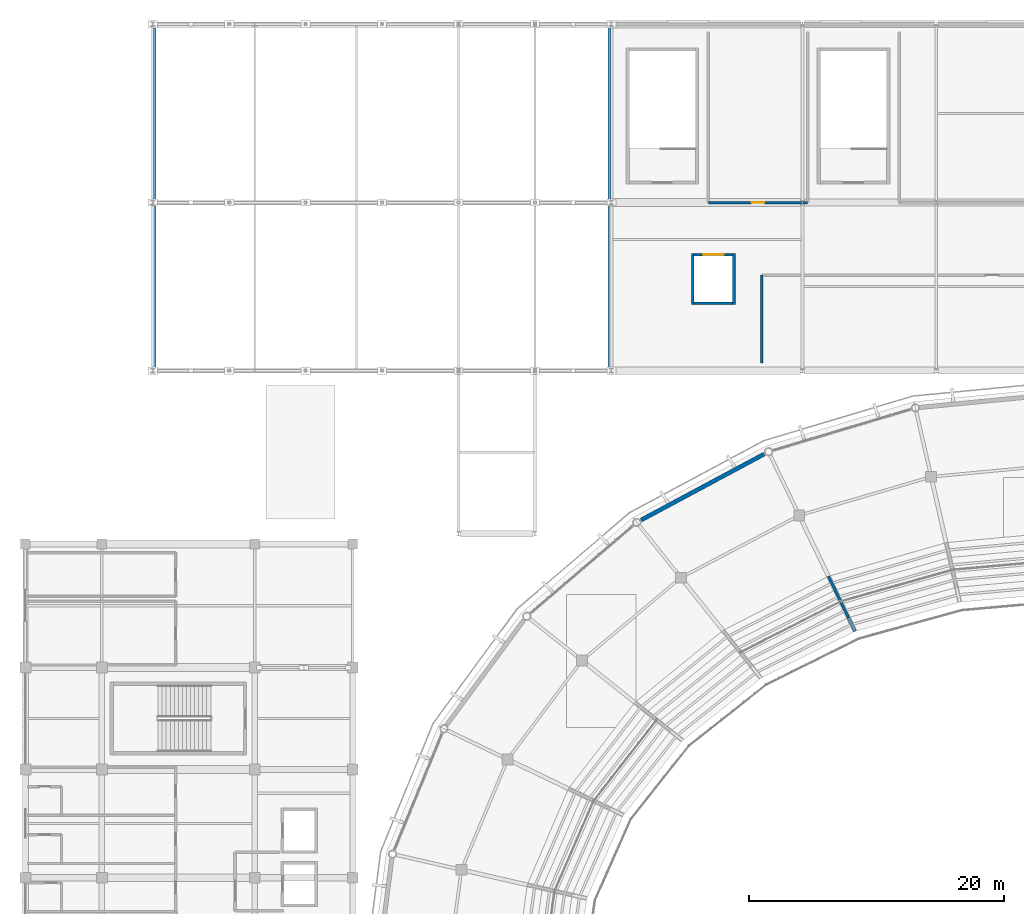
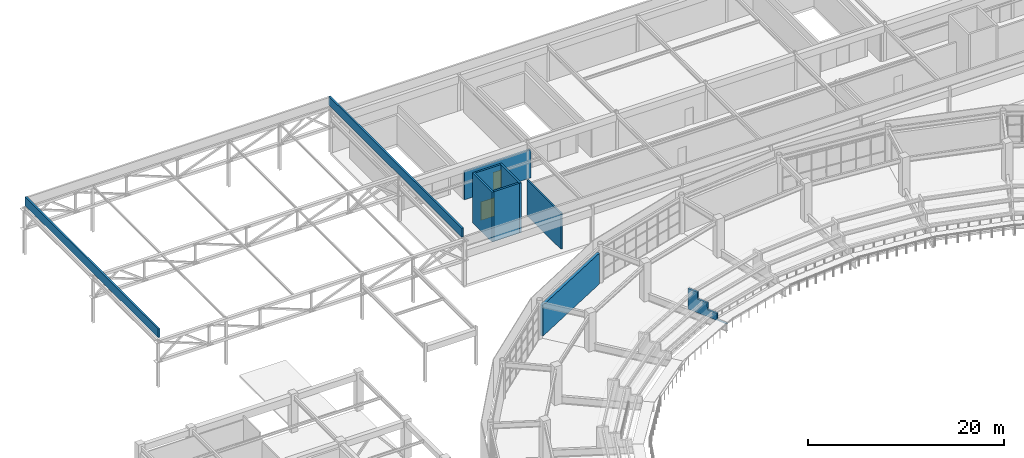
# One storey, part 99 of 122: 10 walls, 2 doors, 2 openings.
"""IFC4 building model written with IfcOpenShell, lengths in metres."""

from ifc_helpers import new_model, si_unit, direction, frame, frame_2d, origin, place, context, subcontext, project, spatial, polyline, rectangle, outline, extrude, material, layer, layer_set, type_object, element, fill, save


model = new_model("IFC4")

# Units and contexts
model_context = context("Model", 3, precision=1e-05, world=origin(), true_north=direction((0.0, 1.0)))
body_context = subcontext(model_context, "Body", "Model", "MODEL_VIEW")
ifc_project = project(units=[si_unit("LENGTHUNIT", "METRE"), si_unit("AREAUNIT", "SQUARE_METRE"), si_unit("VOLUMEUNIT", "CUBIC_METRE"), si_unit("PLANEANGLEUNIT", "RADIAN"), si_unit("MASSUNIT", "GRAM", prefix="KILO")], contexts=[model_context])

# Site, building, storey
site_placement = place(None, origin())
site = spatial("IfcSite", under=ifc_project, at=site_placement, CompositionType="ELEMENT")
building_placement = place(site_placement, origin())
building = spatial("IfcBuilding", under=site, at=building_placement, Name="Cuetzalor Civic Arena", CompositionType="ELEMENT")
storey_placement = place(building_placement, frame((0.0, 0.0, 16.199951171875)))
storey = spatial("IfcBuildingStorey", under=building, at=storey_placement, Name="L03", CompositionType="ELEMENT", Elevation=16.199951171875)

# Walls
ifc_material_1 = material(Name="Dark volcanic basalt parapet Concrete C35/45", Category="masonry")
ifc_layer_1 = layer(ifc_material_1, 0.2099609375)
ifc_layer_set_1 = layer_set([ifc_layer_1], Name="Dark volcanic basalt parapet Concrete C35/45")
wall_type_1 = type_object("IfcWallType", Name="BasaltRoofParapet_210", PredefinedType="PARAPET", material=ifc_layer_set_1)
for number, where, z_axis, x_axis, name in (
    (1, (-71.85009765625, 48.35009765625, 6.0), (0.0, 0.0, 1.0), (0.0, 1.0, 0.0), "Roof Parapet 04 L03-252"),
    (2, (-36.14990234375, 75.449951171875, 6.0), (0.0, 0.0, 1.0), (0.0, -1.0, 0.0), "Roof Parapet 06 L03-254"),
):
    element("IfcWall", number, at=place(storey_placement, frame(where, z_axis=z_axis, x_axis=x_axis)), inside=storey, type_object=wall_type_1, Name=name, PredefinedType="PARAPET", context=body_context, shape_type="SweptSolid", body=[
        extrude(rectangle(XDim=27.099853515625, YDim=0.2099609375, at=frame_2d((13.5498046875, 0.0))), origin(), (0.0, 0.0, 1.0), 1.10009765625),
    ])

# Wall, opening, door
ifc_material_2 = material(Name="Fire-rated masonry and gypsum partition", Category="masonry")
ifc_layer_2 = layer(ifc_material_2, 0.199951171875)
ifc_layer_set_2 = layer_set([ifc_layer_2], Name="Fire-rated masonry and gypsum partition")
wall_type_2 = type_object("IfcWallType", Name="FireCompartmentWall_200", PredefinedType="PARTITIONING", material=ifc_layer_set_2)
wall_1_placement = place(storey_placement, frame((-20.60009765625, 61.5, 0.0), z_axis=(0.0, 0.0, 1.0), x_axis=(-1.0, 0.0, 0.0)))
wall_1 = element("IfcWall", 3, at=wall_1_placement, inside=storey, type_object=wall_type_2, Name="Interior Partition IWALL:L03:0489", PredefinedType="PARTITIONING", context=body_context, shape_type="SweptSolid", body=[
    extrude(rectangle(XDim=7.7998046875, YDim=0.199951171875, at=frame_2d((3.89990234375, 0.0))), origin(), (0.0, 0.0, 1.0), 3.525146484375),
])
opening_1_placement = place(wall_1_placement, frame((3.39990234375, 0.0, 0.0)))
opening_1 = element("IfcOpeningElement", 4, at=opening_1_placement, cuts=wall_1, Name="Opening FD-01", PredefinedType="OPENING", context=body_context, shape_type="SweptSolid", body=[
    extrude(rectangle(XDim=1.0, YDim=2.14990234375, at=frame_2d((0.5, 1.074951171875))), frame((0.0, 0.10986328125, 0.0), z_axis=(0.0, -1.0, 0.0), x_axis=(1.0, 0.0, 0.0)), (0.0, 0.0, 1.0), 0.219970703125),
])
ifc_material_3 = material(Name="Fire-rated insulated steel door", Category="steel")
door_type_1 = type_object("IfcDoorType", Name="FireSingleDoor_1000x2150", OperationType="NOTDEFINED", PredefinedType="DOOR", material=ifc_material_3)
door_1_placement = place(opening_1_placement, origin())
door_1 = element("IfcDoor", 5, at=door_1_placement, inside=storey, type_object=door_type_1, Name="Door to AHU Plant Room Bowl Supply L03", OperationType="SINGLE_SWING_LEFT", OverallHeight=2.14990234375, OverallWidth=1.0, PredefinedType="DOOR", context=body_context, shape_type="SweptSolid", body=[
    extrude(rectangle(XDim=1.0, YDim=2.14990234375, at=frame_2d((0.5, 1.074951171875))), frame((0.0, 0.02490234375, 0.0), z_axis=(0.0, -1.0, 0.0), x_axis=(1.0, 0.0, 0.0)), (0.0, 0.0, 1.0), 0.050048828125),
])
fill(opening_1, door_1)

# Walls
wall_2_placement = place(storey_placement, frame((-24.199951171875, 48.89990234375, 0.0), z_axis=(0.0, 0.0, 1.0), x_axis=(0.0, 1.0, 0.0)))
element("IfcWall", 6, at=wall_2_placement, inside=storey, type_object=wall_type_2, Name="Interior Partition IWALL:L03:0500", PredefinedType="PARTITIONING", context=body_context, shape_type="SweptSolid", body=[
    extrude(rectangle(XDim=6.900146484375, YDim=0.199951171875, at=frame_2d((3.4501953125, 0.0))), origin(), (0.0, 0.0, 1.0), 4.43994140625),
])
ifc_material_4 = material(Name="Precast concrete C40/50 insulated cladding", Category="concrete")
ifc_layer_3 = layer(ifc_material_4, 0.320068359375)
ifc_layer_set_3 = layer_set([ifc_layer_3], Name="Precast concrete C40/50 insulated cladding")
wall_type_3 = type_object("IfcWallType", Name="InsulatedPrecastWall_320", PredefinedType="SOLIDWALL", material=ifc_layer_set_3)
wall_3_placement = place(storey_placement, frame((-33.663330078125, 36.580810546875, 0.0), z_axis=(0.0, 0.0, 1.0), x_axis=(0.881305503949, 0.472546938102, 0.0)))
element("IfcWall", 7, at=wall_3_placement, inside=storey, type_object=wall_type_3, Name="Drum Acoustic Backing Wall L03-046", PredefinedType="SOLIDWALL", context=body_context, shape_type="SweptSolid", body=[
    extrude(rectangle(XDim=10.9462890625, YDim=0.320068359375, at=frame_2d((5.47314453125, 0.0))), origin(), (0.0, 0.0, 1.0), 3.83203125),
])
ifc_material_5 = material(Name="Concrete C40/50", Category="concrete")
ifc_layer_4 = layer(ifc_material_5, 0.219970703125)
ifc_layer_set_4 = layer_set([ifc_layer_4], Name="Concrete C40/50")
wall_type_4 = type_object("IfcWallType", Name="LiftShaftShearWall_220", PredefinedType="SHEAR", material=ifc_layer_set_4)
wall_4_placement = place(storey_placement, frame((-29.610107421875, 53.47998046875, 0.0), z_axis=(0.0, 0.0, 1.0), x_axis=(0.0, 1.0, 0.0)))
element("IfcWall", 8, at=wall_4_placement, inside=storey, type_object=wall_type_4, Name="Lift Shaft Wall LS-01-L03-W", PredefinedType="SHEAR", context=body_context, shape_type="SweptSolid", body=[
    extrude(rectangle(XDim=4.0400390625, YDim=0.219970703125, at=frame_2d((2.02001953125, 0.0))), origin(), (0.0, 0.0, 1.0), 6.199951171875),
])

# Wall, opening, door
wall_5_placement = place(storey_placement, frame((-29.5, 57.409912109375, 0.0), z_axis=(0.0, 0.0, 1.0), x_axis=(1.0, 0.0, 0.0)))
wall_5 = element("IfcWall", 9, at=wall_5_placement, inside=storey, type_object=wall_type_4, Name="Lift Shaft Wall LS-01-L03-N", PredefinedType="SHEAR", context=body_context, shape_type="SweptSolid", body=[
    extrude(rectangle(XDim=3.0, YDim=0.219970703125, at=frame_2d((1.5, 0.0))), origin(), (0.0, 0.0, 1.0), 6.199951171875),
])
opening_2_placement = place(wall_5_placement, frame((0.699951171875, 0.0, 0.0)))
opening_2 = element("IfcOpeningElement", 10, at=opening_2_placement, cuts=wall_5, Name="Opening LD-03", PredefinedType="OPENING", context=body_context, shape_type="SweptSolid", body=[
    extrude(rectangle(XDim=1.60009765625, YDim=2.300048828125, at=frame_2d((0.800048828125, 1.14990234375))), frame((0.0, 0.1201171875, 0.0), z_axis=(0.0, -1.0, 0.0), x_axis=(1.0, 0.0, 0.0)), (0.0, 0.0, 1.0), 0.239990234375),
])
ifc_material_6 = material(Name="Heavy freight stainless steel sliding lift landing door", Category="steel")
door_type_2 = type_object("IfcDoorType", Name="LiftLandingSlidingDoor_1600x2300", OperationType="SLIDING_TO_LEFT", PredefinedType="DOOR", material=ifc_material_6)
door_2_placement = place(opening_2_placement, origin())
door_2 = element("IfcDoor", 11, at=door_2_placement, inside=storey, type_object=door_type_2, Name="Lift Landing Sliding Door LS-01 L03", OperationType="SLIDING_TO_LEFT", OverallHeight=2.300048828125, OverallWidth=1.60009765625, PredefinedType="DOOR", context=body_context, shape_type="SweptSolid", body=[
    extrude(rectangle(XDim=1.60009765625, YDim=2.300048828125, at=frame_2d((0.800048828125, 1.14990234375))), frame((0.0, 0.02490234375, 0.0), z_axis=(0.0, -1.0, 0.0), x_axis=(1.0, 0.0, 0.0)), (0.0, 0.0, 1.0), 0.050048828125),
])
fill(opening_2, door_2)

# Walls
wall_6_placement = place(storey_placement, frame((-26.389892578125, 57.52001953125, 0.0), z_axis=(0.0, 0.0, 1.0), x_axis=(0.0, -1.0, 0.0)))
element("IfcWall", 12, at=wall_6_placement, inside=storey, type_object=wall_type_4, Name="Lift Shaft Wall LS-01-L03-E", PredefinedType="SHEAR", context=body_context, shape_type="SweptSolid", body=[
    extrude(rectangle(XDim=4.0400390625, YDim=0.219970703125, at=frame_2d((2.02001953125, 0.0))), origin(), (0.0, 0.0, 1.0), 6.199951171875),
])
wall_7_placement = place(storey_placement, frame((-26.5, 53.590087890625, 0.0), z_axis=(0.0, 0.0, 1.0), x_axis=(-1.0, 0.0, 0.0)))
element("IfcWall", 13, at=wall_7_placement, inside=storey, type_object=wall_type_4, Name="Lift Shaft Wall LS-01-L03-S", PredefinedType="SHEAR", context=body_context, shape_type="SweptSolid", body=[
    extrude(rectangle(XDim=3.0, YDim=0.219970703125, at=frame_2d((1.5, 0.0))), origin(), (0.0, 0.0, 1.0), 6.199951171875),
])
ifc_material_7 = material(Name="Precast concrete C40/50", Category="concrete")
ifc_layer_5 = layer(ifc_material_7, 0.2099609375)
ifc_layer_set_5 = layer_set([ifc_layer_5], Name="Precast concrete C40/50")
wall_type_5 = type_object("IfcWallType", Name="PrecastBowlRiserWall_210", PredefinedType="SHEAR", material=ifc_layer_set_5)
wall_8_placement = place(storey_placement, frame((-16.878173828125, 27.83984375, 0.9111328125), z_axis=(0.0, 0.0, 1.0), x_axis=(-0.433858438067, 0.900981051808, 0.0)))
element("IfcWall", 14, at=wall_8_placement, inside=storey, type_object=wall_type_5, Name="Upper Bowl Radial Raker Web Wall S10", PredefinedType="SHEAR", context=body_context, shape_type="SweptSolid", body=[
    extrude(outline(polyline([(0.0, 0.0), (4.800048828125, 0.0), (4.800048828125, 2.5439453125), (3.610107421875, 2.5439453125), (3.60009765625, 1.69384765625), (2.409912109375, 1.69384765625), (2.39990234375, 0.843994140625), (1.2099609375, 0.843994140625), (1.199951171875, 0.039794921875), (0.0, 0.039794921875), (0.0, 0.0)])), frame((0.0, 0.10498046875, 0.0), z_axis=(0.0, -1.0, 0.0), x_axis=(1.0, 0.0, 0.0)), (0.0, 0.0, 1.0), 0.2099609375),
])

save(model, "model.ifc")
